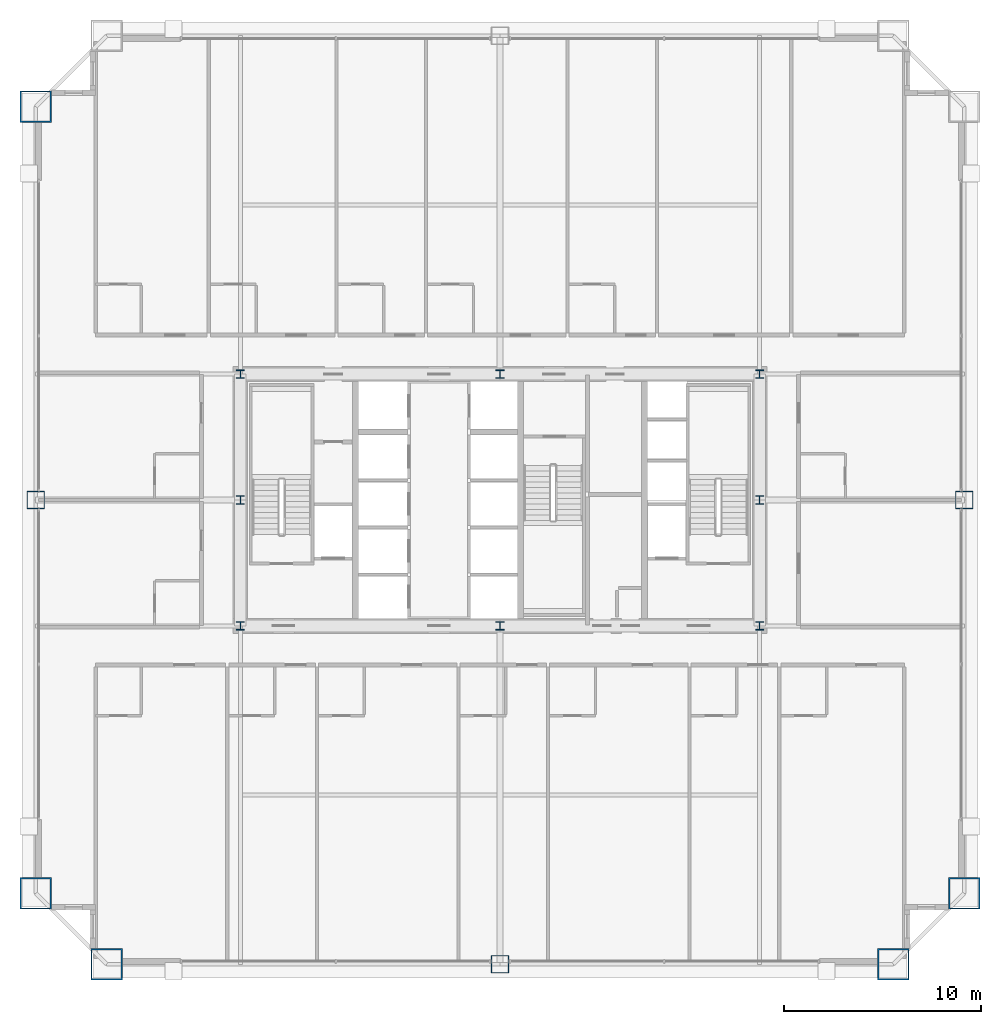
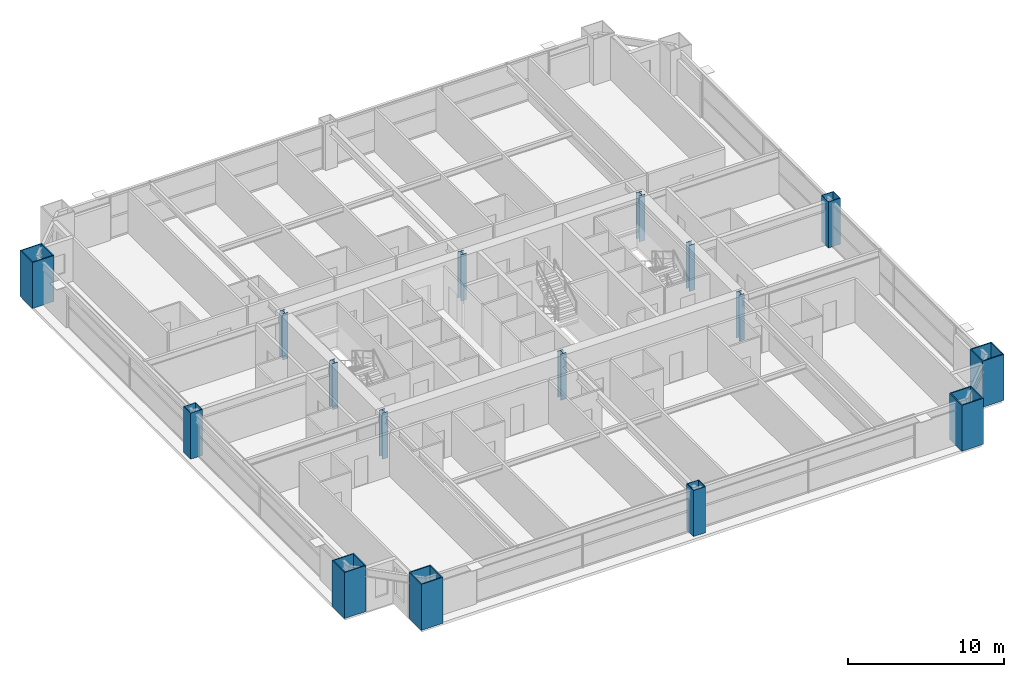
# One storey, part 1 of 38: 16 columns.
"""IFC4 building model written with IfcOpenShell, lengths in metres."""

from ifc_helpers import new_model, si_unit, direction, frame, origin, origin_2d, place, context, subcontext, project, spatial, hollow_rectangle, i_section, extrude, source, transform, mapped, material, material_profile, profile_set, type_object, element, save


model = new_model("IFC4")

# Units and contexts
model_context = context("Model", 3, precision=1e-05, world=origin(), true_north=direction((0.0, 1.0)))
body_context = subcontext(model_context, "Body", "Model", "MODEL_VIEW")
ifc_project = project(units=[si_unit("LENGTHUNIT", "METRE"), si_unit("AREAUNIT", "SQUARE_METRE"), si_unit("VOLUMEUNIT", "CUBIC_METRE"), si_unit("PLANEANGLEUNIT", "RADIAN"), si_unit("MASSUNIT", "GRAM", prefix="KILO"), si_unit("THERMODYNAMICTEMPERATUREUNIT", "KELVIN"), si_unit("POWERUNIT", "WATT")], contexts=[model_context])

# Site, building, storey
site_placement = place(None, origin())
site = spatial("IfcSite", under=ifc_project, at=site_placement, CompositionType="ELEMENT")
building_placement = place(site_placement, origin())
building = spatial("IfcBuilding", under=site, at=building_placement, Name="Yuzanri Waterfront Tower", CompositionType="ELEMENT")
storey_placement = place(building_placement, frame((0.0, 0.0, 90.199951171875)))
storey = spatial("IfcBuildingStorey", under=building, at=storey_placement, Name="L23", CompositionType="ELEMENT", Elevation=90.199951171875)

# Columns
ifc_material_1 = material(Name="Steel Q355B", Category="steel")
ifc_material_profile_1 = material_profile(ifc_material_1, i_section(OverallWidth=0.406982421875, OverallDepth=0.427978515625, WebThickness=0.02001953125, FlangeThickness=0.034912109375, at=origin_2d()), Name="HW 428x407x20x35")
ifc_profile_set_1 = profile_set([ifc_material_profile_1], Name="Steel Q355B")
column_type_1 = type_object("IfcColumnType", Name="Core Post Q355B HW 428x407x20x35", PredefinedType="COLUMN", material=ifc_profile_set_1)
shared_shape_1 = source(origin(), body_context, "Body", "SweptSolid", [
    extrude(i_section(OverallWidth=0.406982421875, OverallDepth=0.427978515625, WebThickness=0.02001953125, FlangeThickness=0.034912109375, at=origin_2d()), origin(), (0.0, 0.0, 1.0), 3.60009765625),
])
for number, where, z_axis, x_axis, name in (
    (1, (23.800048828125, 19.39990234375, 0.0), (0.0, 0.0, 1.0), (1.0, 0.0, 0.0), "L23 Core Boundary Column CP1"),
    (2, (37.0, 19.39990234375, 0.0), (0.0, 0.0, 1.0), (1.0, 0.0, 0.0), "L23 Core Boundary Column CP2"),
    (3, (50.199951171875, 19.39990234375, 0.0), (0.0, 0.0, 1.0), (1.0, 0.0, 0.0), "L23 Core Boundary Column CP3"),
    (4, (23.800048828125, 25.800048828125, 0.0), (0.0, 0.0, 1.0), (1.0, 0.0, 0.0), "L23 Core Boundary Column CP4"),
    (5, (50.199951171875, 25.800048828125, 0.0), (0.0, 0.0, 1.0), (1.0, 0.0, 0.0), "L23 Core Boundary Column CP5"),
    (6, (23.800048828125, 32.199951171875, 0.0), (0.0, 0.0, 1.0), (1.0, 0.0, 0.0), "L23 Core Boundary Column CP6"),
    (7, (37.0, 32.199951171875, 0.0), (0.0, 0.0, 1.0), (1.0, 0.0, 0.0), "L23 Core Boundary Column CP7"),
    (8, (50.199951171875, 32.199951171875, 0.0), (0.0, 0.0, 1.0), (1.0, 0.0, 0.0), "L23 Core Boundary Column CP8"),
):
    element("IfcColumn", number, at=place(storey_placement, frame(where, z_axis=z_axis, x_axis=x_axis)), inside=storey, type_object=column_type_1, Name=name, PredefinedType="COLUMN", context=body_context, shape_type="MappedRepresentation", body=[
        mapped(shared_shape_1, transform((0.0, 0.0, 0.0), scale=1.0)),
    ])
ifc_material_2 = material(Name="Steel Q390GJC", Category="steel")
ifc_material_profile_2 = material_profile(ifc_material_2, hollow_rectangle(XDim=0.89990234375, YDim=0.89990234375, WallThickness=0.0419921875, at=origin_2d()), Name="RHS 900x900x42")
ifc_profile_set_2 = profile_set([ifc_material_profile_2], Name="Steel Q390GJC")
column_type_2 = type_object("IfcColumnType", Name="Frame Column Q390GJC RHS 900x900x42", PredefinedType="COLUMN", material=ifc_profile_set_2)
shared_shape_2 = source(origin(), body_context, "Body", "SweptSolid", [
    extrude(hollow_rectangle(XDim=0.89990234375, YDim=0.89990234375, WallThickness=0.0419921875, at=origin_2d()), origin(), (0.0, 0.0, 1.0), 3.60009765625),
])
for number, where, z_axis, x_axis, name in (
    (9, (37.0, 2.199951171875, 0.0), (0.0, 0.0, 1.0), (1.0, 0.0, 0.0), "L23 Perimeter Frame Column S2"),
    (10, (13.39990234375, 25.800048828125, 0.0), (0.0, 0.0, 1.0), (1.0, 0.0, 0.0), "L23 Perimeter Frame Column W2"),
    (11, (60.60009765625, 25.800048828125, 0.0), (0.0, 0.0, 1.0), (1.0, 0.0, 0.0), "L23 Perimeter Frame Column E2"),
):
    element("IfcColumn", number, at=place(storey_placement, frame(where, z_axis=z_axis, x_axis=x_axis)), inside=storey, type_object=column_type_2, Name=name, PredefinedType="COLUMN", context=body_context, shape_type="MappedRepresentation", body=[
        mapped(shared_shape_2, transform((0.0, 0.0, 0.0), scale=1.0)),
    ])
ifc_material_3 = material(Name="Steel Q420GJC", Category="steel")
ifc_material_profile_3 = material_profile(ifc_material_3, hollow_rectangle(XDim=1.60009765625, YDim=1.60009765625, WallThickness=0.070068359375, at=origin_2d()), Name="RHS 1600x1600x70")
ifc_profile_set_3 = profile_set([ifc_material_profile_3], Name="Steel Q420GJC")
column_type_3 = type_object("IfcColumnType", Name="Mega Column Q420GJC RHS 1600x1600x70", PredefinedType="COLUMN", material=ifc_profile_set_3)
shared_shape_3 = source(origin(), body_context, "Body", "SweptSolid", [
    extrude(hollow_rectangle(XDim=1.60009765625, YDim=1.60009765625, WallThickness=0.070068359375, at=origin_2d()), origin(), (0.0, 0.0, 1.0), 3.60009765625),
])
for number, where, z_axis, x_axis, name in (
    (12, (17.0, 2.199951171875, 0.0), (0.0, 0.0, 1.0), (1.0, 0.0, 0.0), "L23 Perimeter Mega Column S1"),
    (13, (57.0, 2.199951171875, 0.0), (0.0, 0.0, 1.0), (1.0, 0.0, 0.0), "L23 Perimeter Mega Column S3"),
    (14, (13.39990234375, 5.800048828125, 0.0), (0.0, 0.0, 1.0), (1.0, 0.0, 0.0), "L23 Perimeter Mega Column W1"),
    (15, (13.39990234375, 45.800048828125, 0.0), (0.0, 0.0, 1.0), (1.0, 0.0, 0.0), "L23 Perimeter Mega Column W3"),
    (16, (60.60009765625, 5.800048828125, 0.0), (0.0, 0.0, 1.0), (1.0, 0.0, 0.0), "L23 Perimeter Mega Column E1"),
):
    element("IfcColumn", number, at=place(storey_placement, frame(where, z_axis=z_axis, x_axis=x_axis)), inside=storey, type_object=column_type_3, Name=name, PredefinedType="COLUMN", context=body_context, shape_type="MappedRepresentation", body=[
        mapped(shared_shape_3, transform((0.0, 0.0, 0.0), scale=1.0)),
    ])

save(model, "model.ifc")
